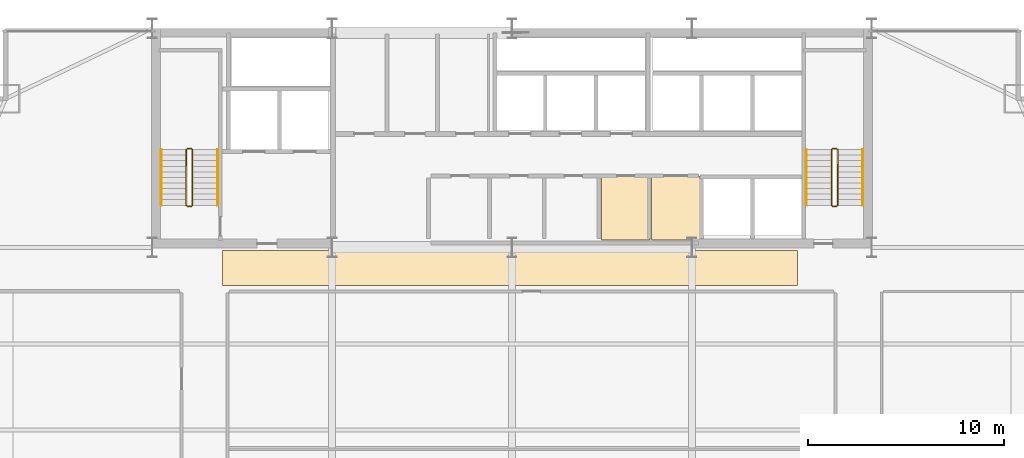
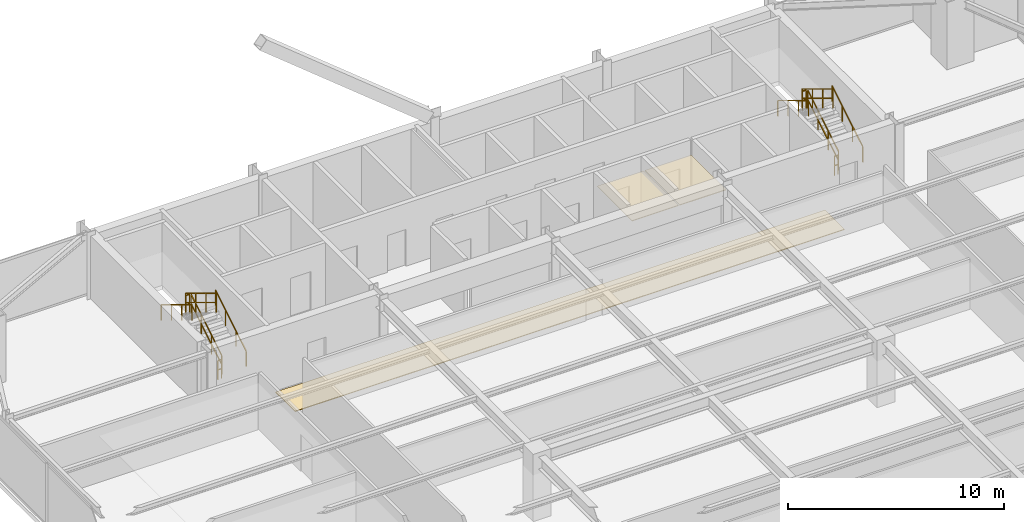
# One storey, part 37 of 37: 12 railings, 3 coverings.
"""IFC4 building model written with IfcOpenShell, lengths in metres."""

import ifcopenshell
import ifcopenshell.guid

model = None  # the IFC model being written
_history = None  # IfcOwnerHistory: only IFC2X3 demands one
_inside = {}  # id of a spatial element -> (the spatial element, [elements in it])
_under = {}  # id of a project, library or spatial element -> (it, [spatial elements below it])
_declared = {}  # id of a project -> (the project, [libraries it declares])
_typed = {}  # id of a type object -> (the type object, [elements of that type])
_made_of = {}  # id of a material, layer set ... -> (it, [elements and type objects made of it])


def new_model(schema):
    """Start an empty IFC model of exactly this schema.

    Asked for "IFC4X3", IfcOpenShell would pick the latest addendum, in which some entities
    have other attributes; the version numbers below select the first issue.
    IFC2X3 requires an IfcOwnerHistory on every rooted entity: one is made here for all.
    """
    global model, _history
    if schema == "IFC4X3":
        model = ifcopenshell.file(schema_version=(4, 3, 0, 0))
    else:
        model = ifcopenshell.file(schema=schema)
    _inside.clear()
    _under.clear()
    _declared.clear()
    _typed.clear()
    _made_of.clear()
    _history = None
    if model.schema == "IFC2X3":
        org = make("IfcOrganization", Name="unknown")
        user = make(
            "IfcPersonAndOrganization",
            ThePerson=make("IfcPerson", FamilyName="unknown"),
            TheOrganization=org,
        )
        app = make(
            "IfcApplication",
            ApplicationDeveloper=org,
            Version="unknown",
            ApplicationFullName="unknown",
            ApplicationIdentifier="unknown",
        )
        _history = make(
            "IfcOwnerHistory",
            OwningUser=user,
            OwningApplication=app,
            ChangeAction="ADDED",
            CreationDate=0,
        )
    return model


def make(cls, **values):
    """One entity of the class cls with the attributes given. An attribute that is None is left unset."""
    return model.create_entity(
        cls, **{name: value for name, value in values.items() if value is not None}
    )


def rooted(cls, **values):
    """An entity with a GlobalId (a new one), such as an element, a storey or a relation."""
    return make(cls, GlobalId=ifcopenshell.guid.new(), OwnerHistory=_history, **values)


def si_unit(unit_type, name, prefix=None):
    """IfcSIUnit, for example si_unit("LENGTHUNIT", "METRE", prefix="MILLI")."""
    return make("IfcSIUnit", UnitType=unit_type, Prefix=prefix, Name=name)


def assignment(units):
    """IfcUnitAssignment: the units of a project."""
    return None if units is None else make("IfcUnitAssignment", Units=units)


def point(xyz):
    """IfcCartesianPoint."""
    return None if xyz is None else make("IfcCartesianPoint", Coordinates=xyz)


def direction(xyz):
    """IfcDirection."""
    return None if xyz is None else make("IfcDirection", DirectionRatios=xyz)


def frame(location, z_axis=None, x_axis=None):
    """IfcAxis2Placement3D, a coordinate frame: its origin and axes. An axis left out is left unset."""
    return make(
        "IfcAxis2Placement3D",
        Location=point(location),
        Axis=direction(z_axis),
        RefDirection=direction(x_axis),
    )


def frame_2d(location, x_axis=None):
    """IfcAxis2Placement2D, a coordinate frame in the plane: its origin and x axis."""
    return make(
        "IfcAxis2Placement2D", Location=point(location), RefDirection=direction(x_axis)
    )


def origin():
    """The frame at (0, 0, 0) with its axes left unset."""
    return frame((0.0, 0.0, 0.0))


def origin_2d():
    """The frame at (0, 0) in the plane with its x axis left unset."""
    return frame_2d((0.0, 0.0))


def place(relative_to, where):
    """IfcLocalPlacement: puts the frame where relative to a parent placement (None: the world)."""
    return make(
        "IfcLocalPlacement", PlacementRelTo=relative_to, RelativePlacement=where
    )


def context(
    kind, dimensions, precision=None, world=None, true_north=None, identifier=None
):
    """IfcGeometricRepresentationContext, for example the 3D "Model" context."""
    return make(
        "IfcGeometricRepresentationContext",
        ContextIdentifier=identifier,
        ContextType=kind,
        CoordinateSpaceDimension=dimensions,
        Precision=precision,
        WorldCoordinateSystem=world,
        TrueNorth=true_north,
    )


def subcontext(parent, identifier, kind, view, scale=None):
    """IfcGeometricRepresentationSubContext, for example "Body" below "Model"."""
    return make(
        "IfcGeometricRepresentationSubContext",
        ContextIdentifier=identifier,
        ContextType=kind,
        ParentContext=parent,
        TargetScale=scale,
        TargetView=view,
    )


def project(units=None, contexts=None):
    """IfcProject with its units and contexts."""
    return rooted(
        "IfcProject",
        Name="project",
        RepresentationContexts=contexts,
        UnitsInContext=assignment(units),
    )


def spatial(cls, under=None, at=None, **own):
    """A site, building, storey or space (cls), placed at a placement, below another one or the project."""
    s = rooted(cls, ObjectPlacement=at, **own)
    if under is not None:
        _under.setdefault(under.id(), (under, []))[1].append(s)
    return s


def polyline(points):
    """IfcPolyline through the points."""
    return make("IfcPolyline", Points=[point(p) for p in points])


def profile(cls, at=None, kind="AREA", **sizes):
    """A parametric profile (cls). Its sizes go by their IFC names, for example OverallWidth=200.0."""
    return make(cls, ProfileType=kind, Position=at, **sizes)


def rectangle(**sizes):
    """IfcRectangleProfileDef."""
    return profile("IfcRectangleProfileDef", **sizes)


def outline(outer, holes=None, kind="AREA"):
    """IfcArbitraryClosedProfileDef: a profile drawn as a closed curve; with holes, ...WithVoids."""
    if holes is None:
        return make("IfcArbitraryClosedProfileDef", ProfileType=kind, OuterCurve=outer)
    return make(
        "IfcArbitraryProfileDefWithVoids",
        ProfileType=kind,
        OuterCurve=outer,
        InnerCurves=holes,
    )


def extrude(swept, where, along, depth):
    """IfcExtrudedAreaSolid: the profile swept, set in the frame where, extruded along a direction by depth."""
    return make(
        "IfcExtrudedAreaSolid",
        SweptArea=swept,
        Position=where,
        ExtrudedDirection=direction(along),
        Depth=depth,
    )


def shape(context_of_items, identifier, shape_type, items):
    """IfcShapeRepresentation: the items that make up one representation, for example the "Body"."""
    return make(
        "IfcShapeRepresentation",
        ContextOfItems=context_of_items,
        RepresentationIdentifier=identifier,
        RepresentationType=shape_type,
        Items=items,
    )


def material(Name=None, Category=None):
    """IfcMaterial."""
    return make("IfcMaterial", Name=Name, Category=Category)


def layer(
    of_material, thickness, ventilated=None, Name=None, Category=None, Priority=None
):
    """IfcMaterialLayer: one layer of a wall or slab, of a material (None: an air gap)."""
    return make(
        "IfcMaterialLayer",
        Material=of_material,
        LayerThickness=thickness,
        IsVentilated=ventilated,
        Name=Name,
        Category=Category,
        Priority=Priority,
    )


def layer_set(layers, Name=None):
    """IfcMaterialLayerSet."""
    return make("IfcMaterialLayerSet", MaterialLayers=layers, LayerSetName=Name)


def made_of(thing, what):
    """Note that an element or type object is made of a material, layer set ...; save() writes the relation."""
    if what is not None:
        _made_of.setdefault(what.id(), (what, []))[1].append(thing)
    return thing


def type_object(cls, material=None, **own):
    """A type object (cls), such as IfcWallType, which elements share."""
    return made_of(rooted(cls, **own), material)


def element(
    cls,
    number,
    at=None,
    inside=None,
    cuts=None,
    type_object=None,
    material=None,
    context=None,
    identifier="Body",
    shape_type=None,
    held_by="IfcProductDefinitionShape",
    body=None,
    shapes=None,
    **own,
):
    """One element of the class cls, such as IfcWall. Its Tag is "e" and its number.

    at: its placement. inside: the storey or other place that contains it. cuts: it is an
    opening in that element (IfcRelVoidsElement). A single representation is given by context,
    identifier, shape_type and body (its items); several are given by shapes. held_by: the class
    of the entity that holds the representations. save() writes the other relations.
    """
    e = rooted(cls, Tag="e%d" % number, ObjectPlacement=at, **own)
    if body is not None:
        shapes = [shape(context, identifier, shape_type, body)]
    if shapes is not None:
        e.Representation = make(held_by, Representations=shapes)
    if inside is not None:
        _inside.setdefault(inside.id(), (inside, []))[1].append(e)
    if cuts is not None:
        rooted(
            "IfcRelVoidsElement", RelatingBuildingElement=cuts, RelatedOpeningElement=e
        )
    if type_object is not None:
        _typed.setdefault(type_object.id(), (type_object, []))[1].append(e)
    return made_of(e, material)


def aggregate(whole, parts):
    """IfcRelAggregates: a whole, such as a stair, and the parts it consists of."""
    return rooted("IfcRelAggregates", RelatingObject=whole, RelatedObjects=parts)


def save(model, path):
    """Write the relations noted so far, then the file.

    IfcRelAggregates (storeys below a building ...), IfcRelContainedInSpatialStructure (elements
    in a storey), IfcRelDefinesByType, IfcRelAssociatesMaterial and IfcRelDeclares: one each for
    every whole, place, type object, material and project.
    """
    for whole, parts in _under.values():
        aggregate(whole, parts)
    for where, things in _inside.values():
        rooted(
            "IfcRelContainedInSpatialStructure",
            RelatedElements=things,
            RelatingStructure=where,
        )
    for kind, things in _typed.values():
        rooted("IfcRelDefinesByType", RelatedObjects=things, RelatingType=kind)
    for what, things in _made_of.values():
        rooted("IfcRelAssociatesMaterial", RelatedObjects=things, RelatingMaterial=what)
    for by, libraries in _declared.values():
        rooted("IfcRelDeclares", RelatingContext=by, RelatedDefinitions=libraries)
    model.write(path)


model = new_model("IFC4")

# Units and contexts
model_context = context("Model", 3, precision=1e-05, world=origin(), true_north=direction((0.0, 1.0)))
body_context = subcontext(model_context, "Body", "Model", "MODEL_VIEW")
ifc_project = project(units=[si_unit("LENGTHUNIT", "METRE"), si_unit("AREAUNIT", "SQUARE_METRE"), si_unit("VOLUMEUNIT", "CUBIC_METRE"), si_unit("PLANEANGLEUNIT", "RADIAN"), si_unit("MASSUNIT", "GRAM", prefix="KILO")], contexts=[model_context])

# Site, building, storey
site_placement = place(None, origin())
site = spatial("IfcSite", under=ifc_project, at=site_placement, CompositionType="ELEMENT")
building_placement = place(site_placement, origin())
building = spatial("IfcBuilding", under=site, at=building_placement, Name="Varnel Quay Broadcast Tower", CompositionType="ELEMENT")
storey_placement = place(building_placement, frame((0.0, 0.0, 106.800048828125)))
storey = spatial("IfcBuildingStorey", under=building, at=storey_placement, Name="L25", CompositionType="ELEMENT", Elevation=106.800048828125)

# Coverings
ifc_material_1 = material(Name="Micro-Perforated Acoustic Ceiling Tile")
ifc_layer_1 = layer(ifc_material_1, 0.0400390625, Name="Micro-Perforated Acoustic Ceiling Tile")
ifc_layer_set_1 = layer_set([ifc_layer_1], Name="Micro-Perforated Acoustic Ceiling Tile")
covering_type_1 = type_object("IfcCoveringType", Name="Cov_AcousticCeiling", PredefinedType="CEILING", material=ifc_layer_set_1)
covering_1_placement = place(storey_placement, frame((0.0, 0.0, 2.579833984375)))
element("IfcCovering", 1, at=covering_1_placement, inside=storey, type_object=covering_type_1, Name="L25 Cleaners' & Linen Store Acoustic Ceiling", PredefinedType="CEILING", context=body_context, shape_type="SweptSolid", body=[
    extrude(outline(polyline([(38.5849609375, 35.985107421875), (41.06494140625, 35.985107421875), (41.06494140625, 39.215087890625), (38.5849609375, 39.215087890625), (38.5849609375, 35.985107421875)])), origin(), (0.0, 0.0, 1.0), 0.0400390625),
])
covering_2_placement = place(storey_placement, frame((0.0, 0.0, 2.579833984375)))
element("IfcCovering", 2, at=covering_2_placement, inside=storey, type_object=covering_type_1, Name="L25 Telecom IDF Closet Acoustic Ceiling", PredefinedType="CEILING", context=body_context, shape_type="SweptSolid", body=[
    extrude(outline(polyline([(41.135009765625, 35.985107421875), (43.614990234375, 35.985107421875), (43.614990234375, 39.215087890625), (41.135009765625, 39.215087890625), (41.135009765625, 35.985107421875)])), origin(), (0.0, 0.0, 1.0), 0.0400390625),
])
ifc_material_2 = material(Name="Polished Terrazzo & Broadcast Raised Flooring")
ifc_layer_2 = layer(ifc_material_2, 0.0400390625, Name="Polished Terrazzo & Broadcast Raised Flooring")
ifc_layer_set_2 = layer_set([ifc_layer_2], Name="Polished Terrazzo & Broadcast Raised Flooring")
covering_type_2 = type_object("IfcCoveringType", Name="Cov_TerrazzoFloor", PredefinedType="FLOORING", material=ifc_layer_set_2)
covering_3_placement = place(storey_placement, origin())
element("IfcCovering", 3, at=covering_3_placement, inside=storey, type_object=covering_type_2, Name="L25 Corridor Terrazzo Flooring", PredefinedType="FLOORING", context=body_context, shape_type="SweptSolid", body=[
    extrude(outline(polyline([(19.199951171875, 33.64990234375), (48.60009765625, 33.64990234375), (48.60009765625, 35.449951171875), (19.199951171875, 35.449951171875), (19.199951171875, 33.64990234375)])), origin(), (0.0, 0.0, 1.0), 0.0400390625),
])

# Railings
ifc_material_3 = material(Name="Painted Steel Guard and Handrail CSA G40.21 350W", Category="steel")
railing_type_1 = type_object("IfcRailingType", Name="Rail_StairGuard1100", PredefinedType="GUARDRAIL", material=ifc_material_3)
railing_1_placement = place(storey_placement, frame((17.64990234375, 37.75, 0.172607421875)))
element("IfcRailing", 4, at=railing_1_placement, inside=storey, type_object=railing_type_1, Name="L25 ST-01 stair guard 1", PredefinedType="GUARDRAIL", context=body_context, shape_type="SweptSolid", body=[
    extrude(rectangle(XDim=0.048095703125, YDim=0.048095703125, at=origin_2d()), frame((0.0, 0.0, 1.076171875), z_axis=(0.0, 0.855202751398, 0.518293598264), x_axis=(-1.0, 0.0, 0.0)), (0.0, 0.0, 1.0), 3.332763671875),
    extrude(rectangle(XDim=0.048095703125, YDim=0.048095703125, at=origin_2d()), frame((0.0, 0.0, 0.550048828125), z_axis=(0.0, 0.855202751398, 0.518293598264), x_axis=(-1.0, 0.0, 0.0)), (0.0, 0.0, 1.0), 3.332763671875),
    extrude(rectangle(XDim=0.0419921875, YDim=0.0419921875, at=origin_2d()), origin(), (0.0, 0.0, 1.0), 1.052001953125),
    extrude(rectangle(XDim=0.0419921875, YDim=0.0419921875, at=origin_2d()), frame((0.0, 0.949951171875, 0.57568359375)), (0.0, 0.0, 1.0), 1.052001953125),
    extrude(rectangle(XDim=0.0419921875, YDim=0.0419921875, at=origin_2d()), frame((0.0, 1.900146484375, 1.151611328125)), (0.0, 0.0, 1.0), 1.052001953125),
    extrude(rectangle(XDim=0.0419921875, YDim=0.0419921875, at=origin_2d()), frame((0.0, 2.85009765625, 1.727294921875)), (0.0, 0.0, 1.0), 1.052001953125),
])
railing_2_placement = place(storey_placement, frame((17.60009765625, 40.64990234375, 1.89990234375)))
element("IfcRailing", 5, at=railing_2_placement, inside=storey, type_object=railing_type_1, Name="L25 ST-01 stair guard 2", PredefinedType="GUARDRAIL", context=body_context, shape_type="SweptSolid", body=[
    extrude(rectangle(XDim=0.048095703125, YDim=0.048095703125, at=origin_2d()), frame((0.0, 0.0, 1.076171875), z_axis=(-1.0, 0.0, 0.0), x_axis=(0.0, -1.0, 0.0)), (0.0, 0.0, 1.0), 0.2001953125),
    extrude(rectangle(XDim=0.048095703125, YDim=0.048095703125, at=origin_2d()), frame((0.0, 0.0, 0.550048828125), z_axis=(-1.0, 0.0, 0.0), x_axis=(0.0, -1.0, 0.0)), (0.0, 0.0, 1.0), 0.2001953125),
    extrude(rectangle(XDim=0.0419921875, YDim=0.0419921875, at=origin_2d()), origin(), (0.0, 0.0, 1.0), 1.052001953125),
    extrude(rectangle(XDim=0.0419921875, YDim=0.0419921875, at=origin_2d()), frame((-0.2001953125, 0.0, 0.0)), (0.0, 0.0, 1.0), 1.052001953125),
])
railing_3_placement = place(storey_placement, frame((17.35009765625, 40.60009765625, 2.07275390625)))
element("IfcRailing", 6, at=railing_3_placement, inside=storey, type_object=railing_type_1, Name="L25 ST-01 stair guard 3", PredefinedType="GUARDRAIL", context=body_context, shape_type="SweptSolid", body=[
    extrude(rectangle(XDim=0.048095703125, YDim=0.048095703125, at=origin_2d()), frame((0.0, 0.0, 1.076171875), z_axis=(0.0, -0.855202751398, 0.518293598264), x_axis=(1.0, 0.0, 0.0)), (0.0, 0.0, 1.0), 3.332763671875),
    extrude(rectangle(XDim=0.048095703125, YDim=0.048095703125, at=origin_2d()), frame((0.0, 0.0, 0.550048828125), z_axis=(0.0, -0.855202751398, 0.518293598264), x_axis=(1.0, 0.0, 0.0)), (0.0, 0.0, 1.0), 3.332763671875),
    extrude(rectangle(XDim=0.0419921875, YDim=0.0419921875, at=origin_2d()), origin(), (0.0, 0.0, 1.0), 1.052001953125),
    extrude(rectangle(XDim=0.0419921875, YDim=0.0419921875, at=origin_2d()), frame((0.0, -0.949951171875, 0.57568359375)), (0.0, 0.0, 1.0), 1.052001953125),
    extrude(rectangle(XDim=0.0419921875, YDim=0.0419921875, at=origin_2d()), frame((0.0, -1.900146484375, 1.151611328125)), (0.0, 0.0, 1.0), 1.052001953125),
    extrude(rectangle(XDim=0.0419921875, YDim=0.0419921875, at=origin_2d()), frame((0.0, -2.85009765625, 1.727294921875)), (0.0, 0.0, 1.0), 1.052001953125),
])
railing_4_placement = place(storey_placement, frame((17.60009765625, 37.699951171875, 0.0)))
element("IfcRailing", 7, at=railing_4_placement, inside=storey, type_object=railing_type_1, Name="L25 ST-01 stair guard 4", PredefinedType="GUARDRAIL", context=body_context, shape_type="SweptSolid", body=[
    extrude(rectangle(XDim=0.048095703125, YDim=0.048095703125, at=origin_2d()), frame((0.0, 0.0, 1.076171875), z_axis=(-1.0, 0.0, 0.0), x_axis=(0.0, -1.0, 0.0)), (0.0, 0.0, 1.0), 0.2001953125),
    extrude(rectangle(XDim=0.048095703125, YDim=0.048095703125, at=origin_2d()), frame((0.0, 0.0, 0.550048828125), z_axis=(-1.0, 0.0, 0.0), x_axis=(0.0, -1.0, 0.0)), (0.0, 0.0, 1.0), 0.2001953125),
    extrude(rectangle(XDim=0.0419921875, YDim=0.0419921875, at=origin_2d()), origin(), (0.0, 0.0, 1.0), 1.052001953125),
    extrude(rectangle(XDim=0.0419921875, YDim=0.0419921875, at=origin_2d()), frame((-0.2001953125, 0.0, 0.0)), (0.0, 0.0, 1.0), 1.052001953125),
])
railing_5_placement = place(storey_placement, frame((50.64990234375, 37.75, 0.172607421875)))
element("IfcRailing", 8, at=railing_5_placement, inside=storey, type_object=railing_type_1, Name="L25 ST-02 stair guard 1", PredefinedType="GUARDRAIL", context=body_context, shape_type="SweptSolid", body=[
    extrude(rectangle(XDim=0.048095703125, YDim=0.048095703125, at=origin_2d()), frame((0.0, 0.0, 1.076171875), z_axis=(0.0, 0.855202751398, 0.518293598264), x_axis=(-1.0, 0.0, 0.0)), (0.0, 0.0, 1.0), 3.332763671875),
    extrude(rectangle(XDim=0.048095703125, YDim=0.048095703125, at=origin_2d()), frame((0.0, 0.0, 0.550048828125), z_axis=(0.0, 0.855202751398, 0.518293598264), x_axis=(-1.0, 0.0, 0.0)), (0.0, 0.0, 1.0), 3.332763671875),
    extrude(rectangle(XDim=0.0419921875, YDim=0.0419921875, at=origin_2d()), origin(), (0.0, 0.0, 1.0), 1.052001953125),
    extrude(rectangle(XDim=0.0419921875, YDim=0.0419921875, at=origin_2d()), frame((0.0, 0.949951171875, 0.57568359375)), (0.0, 0.0, 1.0), 1.052001953125),
    extrude(rectangle(XDim=0.0419921875, YDim=0.0419921875, at=origin_2d()), frame((0.0, 1.900146484375, 1.151611328125)), (0.0, 0.0, 1.0), 1.052001953125),
    extrude(rectangle(XDim=0.0419921875, YDim=0.0419921875, at=origin_2d()), frame((0.0, 2.85009765625, 1.727294921875)), (0.0, 0.0, 1.0), 1.052001953125),
])
railing_6_placement = place(storey_placement, frame((50.60009765625, 40.64990234375, 1.89990234375)))
element("IfcRailing", 9, at=railing_6_placement, inside=storey, type_object=railing_type_1, Name="L25 ST-02 stair guard 2", PredefinedType="GUARDRAIL", context=body_context, shape_type="SweptSolid", body=[
    extrude(rectangle(XDim=0.048095703125, YDim=0.048095703125, at=origin_2d()), frame((0.0, 0.0, 1.076171875), z_axis=(-1.0, 0.0, 0.0), x_axis=(0.0, -1.0, 0.0)), (0.0, 0.0, 1.0), 0.2001953125),
    extrude(rectangle(XDim=0.048095703125, YDim=0.048095703125, at=origin_2d()), frame((0.0, 0.0, 0.550048828125), z_axis=(-1.0, 0.0, 0.0), x_axis=(0.0, -1.0, 0.0)), (0.0, 0.0, 1.0), 0.2001953125),
    extrude(rectangle(XDim=0.0419921875, YDim=0.0419921875, at=origin_2d()), origin(), (0.0, 0.0, 1.0), 1.052001953125),
    extrude(rectangle(XDim=0.0419921875, YDim=0.0419921875, at=origin_2d()), frame((-0.2001953125, 0.0, 0.0)), (0.0, 0.0, 1.0), 1.052001953125),
])
railing_7_placement = place(storey_placement, frame((50.35009765625, 40.60009765625, 2.07275390625)))
element("IfcRailing", 10, at=railing_7_placement, inside=storey, type_object=railing_type_1, Name="L25 ST-02 stair guard 3", PredefinedType="GUARDRAIL", context=body_context, shape_type="SweptSolid", body=[
    extrude(rectangle(XDim=0.048095703125, YDim=0.048095703125, at=origin_2d()), frame((0.0, 0.0, 1.076171875), z_axis=(0.0, -0.855202751398, 0.518293598264), x_axis=(1.0, 0.0, 0.0)), (0.0, 0.0, 1.0), 3.332763671875),
    extrude(rectangle(XDim=0.048095703125, YDim=0.048095703125, at=origin_2d()), frame((0.0, 0.0, 0.550048828125), z_axis=(0.0, -0.855202751398, 0.518293598264), x_axis=(1.0, 0.0, 0.0)), (0.0, 0.0, 1.0), 3.332763671875),
    extrude(rectangle(XDim=0.0419921875, YDim=0.0419921875, at=origin_2d()), origin(), (0.0, 0.0, 1.0), 1.052001953125),
    extrude(rectangle(XDim=0.0419921875, YDim=0.0419921875, at=origin_2d()), frame((0.0, -0.949951171875, 0.57568359375)), (0.0, 0.0, 1.0), 1.052001953125),
    extrude(rectangle(XDim=0.0419921875, YDim=0.0419921875, at=origin_2d()), frame((0.0, -1.900146484375, 1.151611328125)), (0.0, 0.0, 1.0), 1.052001953125),
    extrude(rectangle(XDim=0.0419921875, YDim=0.0419921875, at=origin_2d()), frame((0.0, -2.85009765625, 1.727294921875)), (0.0, 0.0, 1.0), 1.052001953125),
])
railing_8_placement = place(storey_placement, frame((50.60009765625, 37.699951171875, 0.0)))
element("IfcRailing", 11, at=railing_8_placement, inside=storey, type_object=railing_type_1, Name="L25 ST-02 stair guard 4", PredefinedType="GUARDRAIL", context=body_context, shape_type="SweptSolid", body=[
    extrude(rectangle(XDim=0.048095703125, YDim=0.048095703125, at=origin_2d()), frame((0.0, 0.0, 1.076171875), z_axis=(-1.0, 0.0, 0.0), x_axis=(0.0, -1.0, 0.0)), (0.0, 0.0, 1.0), 0.2001953125),
    extrude(rectangle(XDim=0.048095703125, YDim=0.048095703125, at=origin_2d()), frame((0.0, 0.0, 0.550048828125), z_axis=(-1.0, 0.0, 0.0), x_axis=(0.0, -1.0, 0.0)), (0.0, 0.0, 1.0), 0.2001953125),
    extrude(rectangle(XDim=0.0419921875, YDim=0.0419921875, at=origin_2d()), origin(), (0.0, 0.0, 1.0), 1.052001953125),
    extrude(rectangle(XDim=0.0419921875, YDim=0.0419921875, at=origin_2d()), frame((-0.2001953125, 0.0, 0.0)), (0.0, 0.0, 1.0), 1.052001953125),
])
railing_type_2 = type_object("IfcRailingType", Name="Rail_StairHandrail900", PredefinedType="HANDRAIL", material=ifc_material_3)
railing_9_placement = place(storey_placement, frame((18.949951171875, 37.75, 0.172607421875)))
element("IfcRailing", 12, at=railing_9_placement, inside=storey, type_object=railing_type_2, Name="L25 ST-01 stair handrail 1", PredefinedType="HANDRAIL", context=body_context, shape_type="SweptSolid", body=[
    extrude(rectangle(XDim=0.048095703125, YDim=0.048095703125, at=origin_2d()), frame((0.0, 0.0, 0.8759765625), z_axis=(0.0, 0.855202751398, 0.518293598264), x_axis=(-1.0, 0.0, 0.0)), (0.0, 0.0, 1.0), 3.332763671875),
    extrude(rectangle(XDim=0.0419921875, YDim=0.0419921875, at=origin_2d()), origin(), (0.0, 0.0, 1.0), 0.851806640625),
    extrude(rectangle(XDim=0.0419921875, YDim=0.0419921875, at=origin_2d()), frame((0.0, 0.949951171875, 0.57568359375)), (0.0, 0.0, 1.0), 0.851806640625),
    extrude(rectangle(XDim=0.0419921875, YDim=0.0419921875, at=origin_2d()), frame((0.0, 1.900146484375, 1.151611328125)), (0.0, 0.0, 1.0), 0.851806640625),
    extrude(rectangle(XDim=0.0419921875, YDim=0.0419921875, at=origin_2d()), frame((0.0, 2.85009765625, 1.727294921875)), (0.0, 0.0, 1.0), 0.851806640625),
])
railing_10_placement = place(storey_placement, frame((16.050048828125, 40.60009765625, 2.07275390625)))
element("IfcRailing", 13, at=railing_10_placement, inside=storey, type_object=railing_type_2, Name="L25 ST-01 stair handrail 2", PredefinedType="HANDRAIL", context=body_context, shape_type="SweptSolid", body=[
    extrude(rectangle(XDim=0.048095703125, YDim=0.048095703125, at=origin_2d()), frame((0.0, 0.0, 0.8759765625), z_axis=(0.0, -0.855202751398, 0.518293598264), x_axis=(1.0, 0.0, 0.0)), (0.0, 0.0, 1.0), 3.332763671875),
    extrude(rectangle(XDim=0.0419921875, YDim=0.0419921875, at=origin_2d()), origin(), (0.0, 0.0, 1.0), 0.851806640625),
    extrude(rectangle(XDim=0.0419921875, YDim=0.0419921875, at=origin_2d()), frame((0.0, -0.949951171875, 0.57568359375)), (0.0, 0.0, 1.0), 0.851806640625),
    extrude(rectangle(XDim=0.0419921875, YDim=0.0419921875, at=origin_2d()), frame((0.0, -1.900146484375, 1.151611328125)), (0.0, 0.0, 1.0), 0.851806640625),
    extrude(rectangle(XDim=0.0419921875, YDim=0.0419921875, at=origin_2d()), frame((0.0, -2.85009765625, 1.727294921875)), (0.0, 0.0, 1.0), 0.851806640625),
])
railing_11_placement = place(storey_placement, frame((51.949951171875, 37.75, 0.172607421875)))
element("IfcRailing", 14, at=railing_11_placement, inside=storey, type_object=railing_type_2, Name="L25 ST-02 stair handrail 1", PredefinedType="HANDRAIL", context=body_context, shape_type="SweptSolid", body=[
    extrude(rectangle(XDim=0.048095703125, YDim=0.048095703125, at=origin_2d()), frame((0.0, 0.0, 0.8759765625), z_axis=(0.0, 0.855202751398, 0.518293598264), x_axis=(-1.0, 0.0, 0.0)), (0.0, 0.0, 1.0), 3.332763671875),
    extrude(rectangle(XDim=0.0419921875, YDim=0.0419921875, at=origin_2d()), origin(), (0.0, 0.0, 1.0), 0.851806640625),
    extrude(rectangle(XDim=0.0419921875, YDim=0.0419921875, at=origin_2d()), frame((0.0, 0.949951171875, 0.57568359375)), (0.0, 0.0, 1.0), 0.851806640625),
    extrude(rectangle(XDim=0.0419921875, YDim=0.0419921875, at=origin_2d()), frame((0.0, 1.900146484375, 1.151611328125)), (0.0, 0.0, 1.0), 0.851806640625),
    extrude(rectangle(XDim=0.0419921875, YDim=0.0419921875, at=origin_2d()), frame((0.0, 2.85009765625, 1.727294921875)), (0.0, 0.0, 1.0), 0.851806640625),
])
railing_12_placement = place(storey_placement, frame((49.050048828125, 40.60009765625, 2.07275390625)))
element("IfcRailing", 15, at=railing_12_placement, inside=storey, type_object=railing_type_2, Name="L25 ST-02 stair handrail 2", PredefinedType="HANDRAIL", context=body_context, shape_type="SweptSolid", body=[
    extrude(rectangle(XDim=0.048095703125, YDim=0.048095703125, at=origin_2d()), frame((0.0, 0.0, 0.8759765625), z_axis=(0.0, -0.855202751398, 0.518293598264), x_axis=(1.0, 0.0, 0.0)), (0.0, 0.0, 1.0), 3.332763671875),
    extrude(rectangle(XDim=0.0419921875, YDim=0.0419921875, at=origin_2d()), origin(), (0.0, 0.0, 1.0), 0.851806640625),
    extrude(rectangle(XDim=0.0419921875, YDim=0.0419921875, at=origin_2d()), frame((0.0, -0.949951171875, 0.57568359375)), (0.0, 0.0, 1.0), 0.851806640625),
    extrude(rectangle(XDim=0.0419921875, YDim=0.0419921875, at=origin_2d()), frame((0.0, -1.900146484375, 1.151611328125)), (0.0, 0.0, 1.0), 0.851806640625),
    extrude(rectangle(XDim=0.0419921875, YDim=0.0419921875, at=origin_2d()), frame((0.0, -2.85009765625, 1.727294921875)), (0.0, 0.0, 1.0), 0.851806640625),
])

save(model, "model.ifc")
